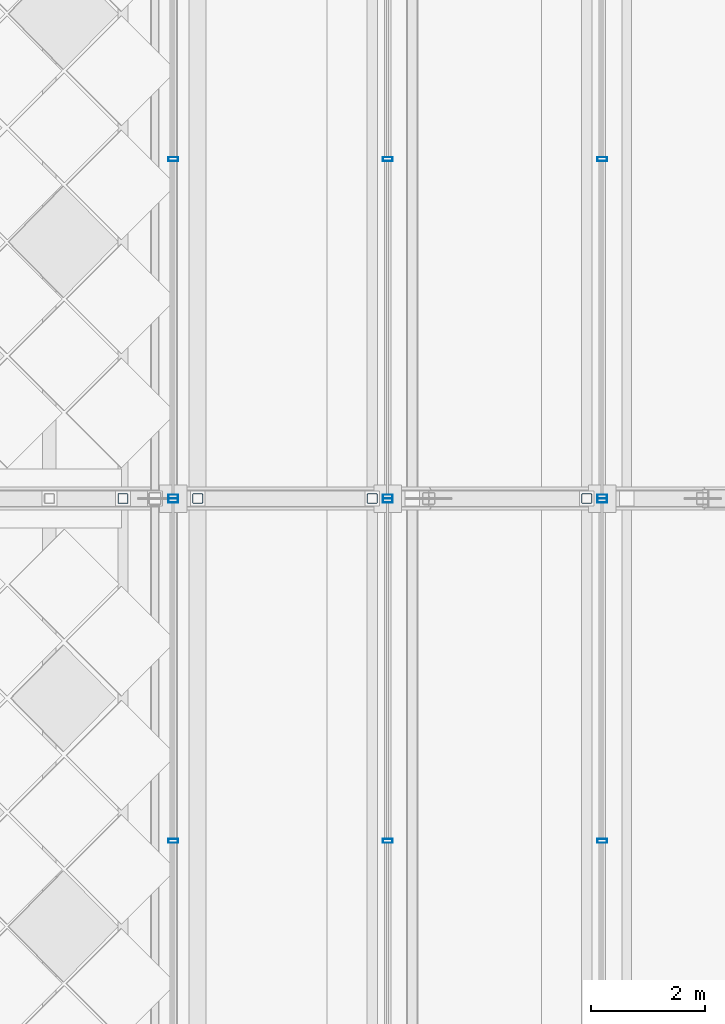
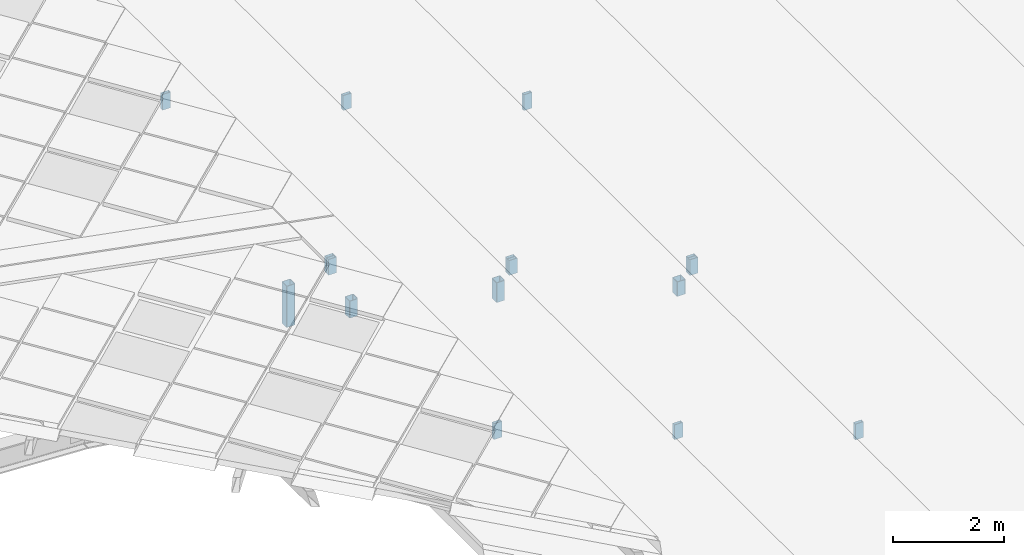
# One storey, part 71 of 117: 16 members, 6 elements without a shape of their own.
"""IFC4 building model written with IfcOpenShell, lengths in metres."""

from ifc_helpers import new_model, si_unit, direction, frame, origin, origin_2d, place, context, subcontext, project, spatial, hollow_rectangle, extrude, material, material_profile, profile_set, type_object, element, aggregate, save


model = new_model("IFC4")

# Units and contexts
model_context = context("Model", 3, precision=1e-05, world=origin(), true_north=direction((0.0, 1.0)))
body_context = subcontext(model_context, "Body", "Model", "MODEL_VIEW")
ifc_project = project(units=[si_unit("LENGTHUNIT", "METRE"), si_unit("AREAUNIT", "SQUARE_METRE"), si_unit("VOLUMEUNIT", "CUBIC_METRE"), si_unit("PLANEANGLEUNIT", "RADIAN"), si_unit("MASSUNIT", "GRAM", prefix="KILO")], contexts=[model_context])

# Site, building, storey
site_placement = place(None, origin())
site = spatial("IfcSite", under=ifc_project, at=site_placement, CompositionType="ELEMENT")
building_placement = place(site_placement, origin())
building = spatial("IfcBuilding", under=site, at=building_placement, Name="Merenkruunu Market Hall", CompositionType="ELEMENT")
storey_placement = place(building_placement, frame((0.0, 0.0, 22.800048828125)))
storey = spatial("IfcBuildingStorey", under=building, at=storey_placement, Name="RF", CompositionType="ELEMENT", Elevation=22.800048828125)

# Curtain wall, members
ifc_material_1 = material(Name="Powder-coated aluminium", Category="aluminium")
curtain_wall_type = type_object("IfcCurtainWallType", Name="Clerestory Curtain Band CL05", PredefinedType="USERDEFINED", material=ifc_material_1)
curtain_wall_1_placement = place(storey_placement, origin())
curtain_wall_1 = element("IfcCurtainWall", 1, at=curtain_wall_1_placement, inside=storey, type_object=curtain_wall_type, Name="CW-RF-CWM04-102", ObjectType="CLERESTORY_BAND", PredefinedType="USERDEFINED")
ifc_material_profile_1 = material_profile(ifc_material_1, hollow_rectangle(XDim=0.070068359375, YDim=0.169921875, WallThickness=0.0048828125, at=origin_2d()), Name="ALU 70x170x5")
ifc_profile_set_1 = profile_set([ifc_material_profile_1], Name="Powder-coated aluminium")
member_type_1 = type_object("IfcMemberType", Name="Curtain Wall Mullion CWM04", PredefinedType="MULLION", material=ifc_profile_set_1)
member_1_placement = place(storey_placement, frame((46.239990234375, 87.56494140625, -3.882080078125), z_axis=(0.0, 0.0, 1.0), x_axis=(0.0, -1.0, 0.0)))
member_1 = element("IfcMember", 2, at=member_1_placement, type_object=member_type_1, Name="CL05 mullion 1", PredefinedType="MULLION", context=body_context, shape_type="SweptSolid", body=[
    extrude(hollow_rectangle(XDim=0.070068359375, YDim=0.169921875, WallThickness=0.0048828125, at=origin_2d()), origin(), (0.0, 0.0, 1.0), 0.34814453125),
])
member_2_placement = place(storey_placement, frame((46.239990234375, 81.60009765625, -3.882080078125), z_axis=(0.0, 0.0, 1.0), x_axis=(0.0, -1.0, 0.0)))
member_2 = element("IfcMember", 3, at=member_2_placement, type_object=member_type_1, Name="CL05 mullion 2", PredefinedType="MULLION", context=body_context, shape_type="SweptSolid", body=[
    extrude(hollow_rectangle(XDim=0.070068359375, YDim=0.169921875, WallThickness=0.0048828125, at=origin_2d()), origin(), (0.0, 0.0, 1.0), 0.34814453125),
])
aggregate(curtain_wall_1, [member_1, member_2])

curtain_wall_2_placement = place(storey_placement, origin())
curtain_wall_2 = element("IfcCurtainWall", 4, at=curtain_wall_2_placement, inside=storey, type_object=curtain_wall_type, Name="CW-RF-CWM04-104", ObjectType="CLERESTORY_BAND", PredefinedType="USERDEFINED")
member_3_placement = place(storey_placement, frame((46.239990234375, 93.550048828125, -3.882080078125), z_axis=(0.0, 0.0, 1.0), x_axis=(0.0, -1.0, 0.0)))
member_3 = element("IfcMember", 5, at=member_3_placement, type_object=member_type_1, Name="CL05 mullion 4", PredefinedType="MULLION", context=body_context, shape_type="SweptSolid", body=[
    extrude(hollow_rectangle(XDim=0.070068359375, YDim=0.169921875, WallThickness=0.0048828125, at=origin_2d()), origin(), (0.0, 0.0, 1.0), 0.34814453125),
])
member_4_placement = place(storey_placement, frame((46.239990234375, 87.635009765625, -3.882080078125), z_axis=(0.0, 0.0, 1.0), x_axis=(0.0, -1.0, 0.0)))
member_4 = element("IfcMember", 6, at=member_4_placement, type_object=member_type_1, Name="CL05 mullion 5", PredefinedType="MULLION", context=body_context, shape_type="SweptSolid", body=[
    extrude(hollow_rectangle(XDim=0.070068359375, YDim=0.169921875, WallThickness=0.0048828125, at=origin_2d()), origin(), (0.0, 0.0, 1.0), 0.34814453125),
])
aggregate(curtain_wall_2, [member_3, member_4])

curtain_wall_3_placement = place(storey_placement, origin())
curtain_wall_3 = element("IfcCurtainWall", 7, at=curtain_wall_3_placement, inside=storey, type_object=curtain_wall_type, Name="CW-RF-CWM04-110", ObjectType="CLERESTORY_BAND", PredefinedType="USERDEFINED")
member_5_placement = place(storey_placement, frame((42.47998046875, 87.56494140625, -2.56201171875), z_axis=(0.0, 0.0, 1.0), x_axis=(0.0, -1.0, 0.0)))
member_5 = element("IfcMember", 8, at=member_5_placement, type_object=member_type_1, Name="CL05 mullion 1", PredefinedType="MULLION", context=body_context, shape_type="SweptSolid", body=[
    extrude(hollow_rectangle(XDim=0.070068359375, YDim=0.169921875, WallThickness=0.0048828125, at=origin_2d()), origin(), (0.0, 0.0, 1.0), 0.326904296875),
])
member_6_placement = place(storey_placement, frame((42.47998046875, 81.60009765625, -2.56201171875), z_axis=(0.0, 0.0, 1.0), x_axis=(0.0, -1.0, 0.0)))
member_6 = element("IfcMember", 9, at=member_6_placement, type_object=member_type_1, Name="CL05 mullion 2", PredefinedType="MULLION", context=body_context, shape_type="SweptSolid", body=[
    extrude(hollow_rectangle(XDim=0.070068359375, YDim=0.169921875, WallThickness=0.0048828125, at=origin_2d()), origin(), (0.0, 0.0, 1.0), 0.326904296875),
])
aggregate(curtain_wall_3, [member_5, member_6])

curtain_wall_4_placement = place(storey_placement, origin())
curtain_wall_4 = element("IfcCurtainWall", 10, at=curtain_wall_4_placement, inside=storey, type_object=curtain_wall_type, Name="CW-RF-CWM04-112", ObjectType="CLERESTORY_BAND", PredefinedType="USERDEFINED")
member_7_placement = place(storey_placement, frame((42.47998046875, 93.550048828125, -2.56201171875), z_axis=(0.0, 0.0, 1.0), x_axis=(0.0, -1.0, 0.0)))
member_7 = element("IfcMember", 11, at=member_7_placement, type_object=member_type_1, Name="CL05 mullion 4", PredefinedType="MULLION", context=body_context, shape_type="SweptSolid", body=[
    extrude(hollow_rectangle(XDim=0.070068359375, YDim=0.169921875, WallThickness=0.0048828125, at=origin_2d()), origin(), (0.0, 0.0, 1.0), 0.326904296875),
])
member_8_placement = place(storey_placement, frame((42.47998046875, 87.635009765625, -2.56201171875), z_axis=(0.0, 0.0, 1.0), x_axis=(0.0, -1.0, 0.0)))
member_8 = element("IfcMember", 12, at=member_8_placement, type_object=member_type_1, Name="CL05 mullion 5", PredefinedType="MULLION", context=body_context, shape_type="SweptSolid", body=[
    extrude(hollow_rectangle(XDim=0.070068359375, YDim=0.169921875, WallThickness=0.0048828125, at=origin_2d()), origin(), (0.0, 0.0, 1.0), 0.326904296875),
])
aggregate(curtain_wall_4, [member_7, member_8])

curtain_wall_5_placement = place(storey_placement, origin())
curtain_wall_5 = element("IfcCurtainWall", 13, at=curtain_wall_5_placement, inside=storey, type_object=curtain_wall_type, Name="CW-RF-CWM04-118", ObjectType="CLERESTORY_BAND", PredefinedType="USERDEFINED")
member_9_placement = place(storey_placement, frame((38.719970703125, 87.56494140625, -1.241943359375), z_axis=(0.0, 0.0, 1.0), x_axis=(0.0, -1.0, 0.0)))
member_9 = element("IfcMember", 14, at=member_9_placement, type_object=member_type_1, Name="CL05 mullion 1", PredefinedType="MULLION", context=body_context, shape_type="SweptSolid", body=[
    extrude(hollow_rectangle(XDim=0.070068359375, YDim=0.169921875, WallThickness=0.0048828125, at=origin_2d()), origin(), (0.0, 0.0, 1.0), 0.347900390625),
])
member_10_placement = place(storey_placement, frame((38.719970703125, 81.60009765625, -1.241943359375), z_axis=(0.0, 0.0, 1.0), x_axis=(0.0, -1.0, 0.0)))
member_10 = element("IfcMember", 15, at=member_10_placement, type_object=member_type_1, Name="CL05 mullion 2", PredefinedType="MULLION", context=body_context, shape_type="SweptSolid", body=[
    extrude(hollow_rectangle(XDim=0.070068359375, YDim=0.169921875, WallThickness=0.0048828125, at=origin_2d()), origin(), (0.0, 0.0, 1.0), 0.347900390625),
])
aggregate(curtain_wall_5, [member_9, member_10])

curtain_wall_6_placement = place(storey_placement, origin())
curtain_wall_6 = element("IfcCurtainWall", 16, at=curtain_wall_6_placement, inside=storey, type_object=curtain_wall_type, Name="CW-RF-CWM04-120", ObjectType="CLERESTORY_BAND", PredefinedType="USERDEFINED")
member_11_placement = place(storey_placement, frame((38.719970703125, 93.550048828125, -1.241943359375), z_axis=(0.0, 0.0, 1.0), x_axis=(0.0, -1.0, 0.0)))
member_11 = element("IfcMember", 17, at=member_11_placement, type_object=member_type_1, Name="CL05 mullion 4", PredefinedType="MULLION", context=body_context, shape_type="SweptSolid", body=[
    extrude(hollow_rectangle(XDim=0.070068359375, YDim=0.169921875, WallThickness=0.0048828125, at=origin_2d()), origin(), (0.0, 0.0, 1.0), 0.347900390625),
])
member_12_placement = place(storey_placement, frame((38.719970703125, 87.635009765625, -1.241943359375), z_axis=(0.0, 0.0, 1.0), x_axis=(0.0, -1.0, 0.0)))
member_12 = element("IfcMember", 18, at=member_12_placement, type_object=member_type_1, Name="CL05 mullion 5", PredefinedType="MULLION", context=body_context, shape_type="SweptSolid", body=[
    extrude(hollow_rectangle(XDim=0.070068359375, YDim=0.169921875, WallThickness=0.0048828125, at=origin_2d()), origin(), (0.0, 0.0, 1.0), 0.347900390625),
])
aggregate(curtain_wall_6, [member_11, member_12])

# Members
ifc_material_2 = material(Name="Steel S355J2", Category="steel")
ifc_material_profile_2 = material_profile(ifc_material_2, hollow_rectangle(XDim=0.179931640625, YDim=0.179931640625, WallThickness=0.010009765625, InnerFilletRadius=0.010009765625, OuterFilletRadius=0.02001953125, at=origin_2d()), Name="SHS 180x180x10")
ifc_profile_set_2 = profile_set([ifc_material_profile_2], Name="Steel S355J2")
member_type_2 = type_object("IfcMemberType", Name="Diagonal Sway Brace BR05", PredefinedType="BRACE", material=ifc_profile_set_2)
member_13_placement = place(storey_placement, frame((45.969970703125, 87.60009765625, -4.23583984375), z_axis=(0.0, 0.0, 1.0), x_axis=(1.0, 0.0, 0.0)))
element("IfcMember", 19, at=member_13_placement, inside=storey, type_object=member_type_2, Name="TRUSS-AT-7-RISER-E4-1", PredefinedType="BRACE", context=body_context, shape_type="SweptSolid", body=[
    extrude(hollow_rectangle(XDim=0.179931640625, YDim=0.179931640625, WallThickness=0.010009765625, InnerFilletRadius=0.010009765625, OuterFilletRadius=0.02001953125, at=origin_2d()), origin(), (0.0, 0.0, 1.0), 0.31787109375),
])
member_14_placement = place(storey_placement, frame((42.2099609375, 87.60009765625, -3.053955078125), z_axis=(0.0, 0.0, 1.0), x_axis=(1.0, 0.0, 0.0)))
element("IfcMember", 20, at=member_14_placement, inside=storey, type_object=member_type_2, Name="TRUSS-AT-7-RISER-E5-1", PredefinedType="BRACE", context=body_context, shape_type="SweptSolid", body=[
    extrude(hollow_rectangle(XDim=0.179931640625, YDim=0.179931640625, WallThickness=0.010009765625, InnerFilletRadius=0.010009765625, OuterFilletRadius=0.02001953125, at=origin_2d()), origin(), (0.0, 0.0, 1.0), 0.435546875),
])
member_15_placement = place(storey_placement, frame((39.14990234375, 87.60009765625, -2.326904296875), z_axis=(0.0, 0.0, 1.0), x_axis=(1.0, 0.0, 0.0)))
element("IfcMember", 21, at=member_15_placement, inside=storey, type_object=member_type_2, Name="TRUSS-AT-7-RISER-E5-2", PredefinedType="BRACE", context=body_context, shape_type="SweptSolid", body=[
    extrude(hollow_rectangle(XDim=0.179931640625, YDim=0.179931640625, WallThickness=0.010009765625, InnerFilletRadius=0.010009765625, OuterFilletRadius=0.02001953125, at=origin_2d()), origin(), (0.0, 0.0, 1.0), 0.37451171875),
])
member_16_placement = place(storey_placement, frame((37.840087890625, 87.60009765625, -2.07080078125), z_axis=(0.0, 0.0, 1.0), x_axis=(1.0, 0.0, 0.0)))
element("IfcMember", 22, at=member_16_placement, inside=storey, type_object=member_type_2, Name="TRUSS-AT-7-RISER-E6-1", PredefinedType="BRACE", context=body_context, shape_type="SweptSolid", body=[
    extrude(hollow_rectangle(XDim=0.179931640625, YDim=0.179931640625, WallThickness=0.010009765625, InnerFilletRadius=0.010009765625, OuterFilletRadius=0.02001953125, at=origin_2d()), origin(), (0.0, 0.0, 1.0), 0.90576171875),
])

save(model, "model.ifc")
